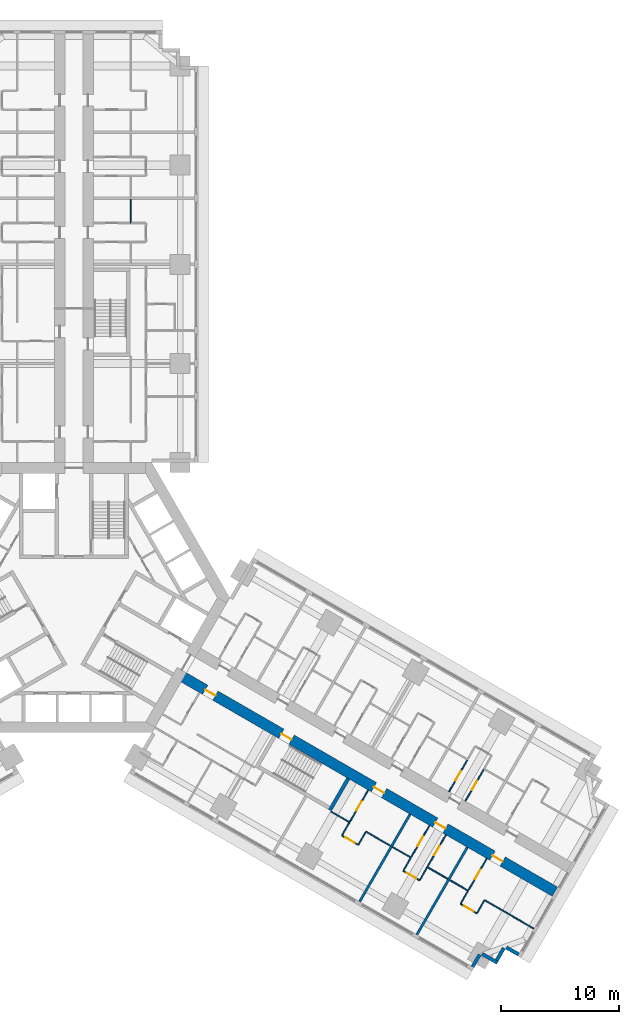
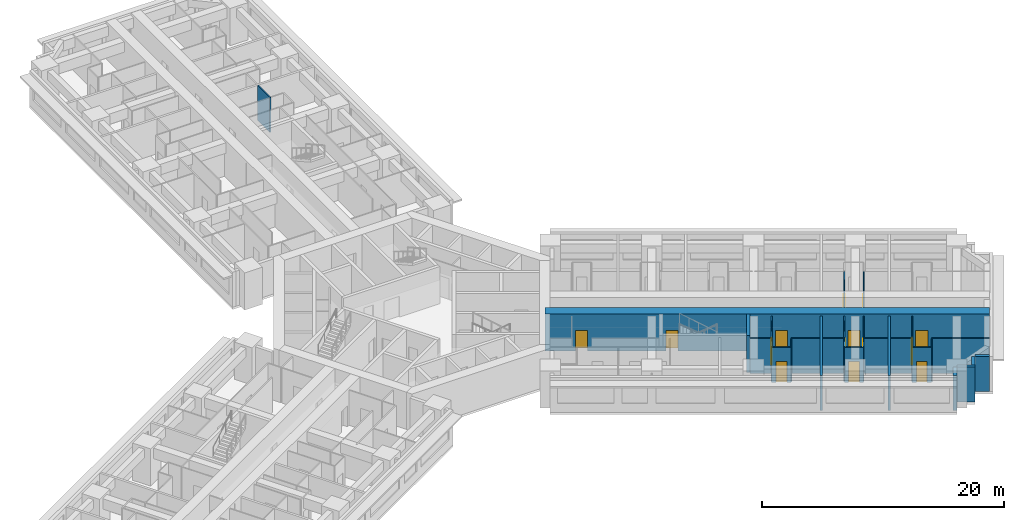
# One storey, part 11 of 16: 30 walls, 14 doors, 14 openings.
"""IFC4 building model written with IfcOpenShell, lengths in metres."""

from ifc_helpers import new_model, si_unit, direction, frame, frame_2d, origin, place, context, subcontext, project, spatial, rectangle, extrude, material, layer, layer_set, type_object, element, fill, save


model = new_model("IFC4")

# Units and contexts
model_context = context("Model", 3, precision=1e-05, world=origin(), true_north=direction((0.0, 1.0)))
body_context = subcontext(model_context, "Body", "Model", "MODEL_VIEW")
ifc_project = project(units=[si_unit("LENGTHUNIT", "METRE"), si_unit("AREAUNIT", "SQUARE_METRE"), si_unit("VOLUMEUNIT", "CUBIC_METRE"), si_unit("PLANEANGLEUNIT", "RADIAN"), si_unit("MASSUNIT", "GRAM", prefix="KILO")], contexts=[model_context])

# Site, building, storey
site_placement = place(None, origin())
site = spatial("IfcSite", under=ifc_project, at=site_placement, CompositionType="ELEMENT")
building_placement = place(site_placement, origin())
building = spatial("IfcBuilding", under=site, at=building_placement, Name="Impinga Residences", CompositionType="ELEMENT")
storey_placement = place(building_placement, frame((0.0, 0.0, 44.75)))
storey = spatial("IfcBuildingStorey", under=building, at=storey_placement, Name="L10", CompositionType="ELEMENT", Elevation=44.75)

# Wall, openings, doors
ifc_material_1 = material(Name="Concrete C70/85", Category="concrete")
ifc_layer_1 = layer(ifc_material_1, 0.89990234375)
ifc_layer_set_1 = layer_set([ifc_layer_1], Name="Concrete C70/85")
wall_type_1 = type_object("IfcWallType", Name="BW1 corridor buttress wall, L05 to L22 900", PredefinedType="SHEAR", material=ifc_layer_set_1)
wall_1_placement = place(storey_placement, frame((8.910400390625, -6.530029296875, 0.0), z_axis=(0.0, 0.0, 1.0), x_axis=(0.866025284237, -0.500000207062, 0.0)))
wall_1 = element("IfcWall", 1, at=wall_1_placement, inside=storey, type_object=wall_type_1, Name="Corridor wall BW1 ED L10", PredefinedType="SHEAR", context=body_context, shape_type="SweptSolid", body=[
    extrude(rectangle(XDim=36.75, YDim=0.89990234375, at=frame_2d((18.375, 0.0))), origin(), (0.0, 0.0, 1.0), 3.75),
])
opening_1_placement = place(wall_1_placement, frame((10.0, 0.0, 0.0)))
opening_1 = element("IfcOpeningElement", 2, at=opening_1_placement, cuts=wall_1, Name="Opening D5", PredefinedType="OPENING", context=body_context, shape_type="SweptSolid", body=[
    extrude(rectangle(XDim=1.0, YDim=2.10009765625, at=frame_2d((0.5, 1.050048828125))), frame((0.0, 0.4599609375, 0.0), z_axis=(0.0, -1.0, 0.0), x_axis=(1.0, 0.0, 0.0)), (0.0, 0.0, 1.0), 0.919921875),
])
opening_2_placement = place(wall_1_placement, frame((2.550048828125, 0.0, 0.0)))
opening_2 = element("IfcOpeningElement", 3, at=opening_2_placement, cuts=wall_1, Name="Opening D1", PredefinedType="OPENING", context=body_context, shape_type="SweptSolid", body=[
    extrude(rectangle(XDim=1.0, YDim=2.10009765625, at=frame_2d((0.5, 1.050048828125))), frame((0.0, 0.4599609375, 0.0), z_axis=(0.0, -1.0, 0.0), x_axis=(1.0, 0.0, 0.0)), (0.0, 0.0, 1.0), 0.919921875),
])
opening_3_placement = place(wall_1_placement, frame((19.050048828125, 0.0, 0.0)))
opening_3 = element("IfcOpeningElement", 4, at=opening_3_placement, cuts=wall_1, Name="Opening D1", PredefinedType="OPENING", context=body_context, shape_type="SweptSolid", body=[
    extrude(rectangle(XDim=1.0, YDim=2.10009765625, at=frame_2d((0.5, 1.050048828125))), frame((0.0, 0.4599609375, 0.0), z_axis=(0.0, -1.0, 0.0), x_axis=(1.0, 0.0, 0.0)), (0.0, 0.0, 1.0), 0.919921875),
])
opening_4_placement = place(wall_1_placement, frame((25.050048828125, 0.0, 0.0)))
opening_4 = element("IfcOpeningElement", 5, at=opening_4_placement, cuts=wall_1, Name="Opening D1", PredefinedType="OPENING", context=body_context, shape_type="SweptSolid", body=[
    extrude(rectangle(XDim=1.0, YDim=2.10009765625, at=frame_2d((0.5, 1.050048828125))), frame((0.0, 0.4599609375, 0.0), z_axis=(0.0, -1.0, 0.0), x_axis=(1.0, 0.0, 0.0)), (0.0, 0.0, 1.0), 0.919921875),
])
opening_5_placement = place(wall_1_placement, frame((30.64990234375, 0.0, 0.0)))
opening_5 = element("IfcOpeningElement", 6, at=opening_5_placement, cuts=wall_1, Name="Opening D1", PredefinedType="OPENING", context=body_context, shape_type="SweptSolid", body=[
    extrude(rectangle(XDim=1.0, YDim=2.10009765625, at=frame_2d((0.5, 1.050048828125))), frame((0.0, 0.4599609375, 0.0), z_axis=(0.0, -1.0, 0.0), x_axis=(1.0, 0.0, 0.0)), (0.0, 0.0, 1.0), 0.919921875),
])
ifc_material_2 = material(Name="Timber door set", Category="wood")
door_type_1 = type_object("IfcDoorType", Name="D1 apartment entrance door 1000x2100", OperationType="SINGLE_SWING_LEFT", PredefinedType="DOOR", material=ifc_material_2)
door_1_placement = place(opening_2_placement, origin())
door_1 = element("IfcDoor", 7, at=door_1_placement, inside=storey, type_object=door_type_1, Name="Apartment L10-EF1 entrance", OperationType="SINGLE_SWING_LEFT", OverallHeight=2.10009765625, OverallWidth=1.0, PredefinedType="DOOR", context=body_context, shape_type="SweptSolid", body=[
    extrude(rectangle(XDim=1.0, YDim=2.10009765625, at=frame_2d((0.5, 1.050048828125))), frame((0.0, 0.02490234375, 0.0), z_axis=(0.0, -1.0, 0.0), x_axis=(1.0, 0.0, 0.0)), (0.0, 0.0, 1.0), 0.050048828125),
])
fill(opening_2, door_1)
door_2_placement = place(opening_3_placement, origin())
door_2 = element("IfcDoor", 8, at=door_2_placement, inside=storey, type_object=door_type_1, Name="Apartment L10-EF2 entrance", OperationType="SINGLE_SWING_RIGHT", OverallHeight=2.10009765625, OverallWidth=1.0, PredefinedType="DOOR", context=body_context, shape_type="SweptSolid", body=[
    extrude(rectangle(XDim=1.0, YDim=2.10009765625, at=frame_2d((0.5, 1.050048828125))), frame((0.0, 0.02490234375, 0.0), z_axis=(0.0, -1.0, 0.0), x_axis=(1.0, 0.0, 0.0)), (0.0, 0.0, 1.0), 0.050048828125),
])
fill(opening_3, door_2)
door_3_placement = place(opening_4_placement, origin())
door_3 = element("IfcDoor", 9, at=door_3_placement, inside=storey, type_object=door_type_1, Name="Apartment L10-EF3 entrance", OperationType="SINGLE_SWING_RIGHT", OverallHeight=2.10009765625, OverallWidth=1.0, PredefinedType="DOOR", context=body_context, shape_type="SweptSolid", body=[
    extrude(rectangle(XDim=1.0, YDim=2.10009765625, at=frame_2d((0.5, 1.050048828125))), frame((0.0, 0.02490234375, 0.0), z_axis=(0.0, -1.0, 0.0), x_axis=(1.0, 0.0, 0.0)), (0.0, 0.0, 1.0), 0.050048828125),
])
fill(opening_4, door_3)
door_4_placement = place(opening_5_placement, origin())
door_4 = element("IfcDoor", 10, at=door_4_placement, inside=storey, type_object=door_type_1, Name="Apartment L10-EF4 entrance", OperationType="SINGLE_SWING_RIGHT", OverallHeight=2.10009765625, OverallWidth=1.0, PredefinedType="DOOR", context=body_context, shape_type="SweptSolid", body=[
    extrude(rectangle(XDim=1.0, YDim=2.10009765625, at=frame_2d((0.5, 1.050048828125))), frame((0.0, 0.02490234375, 0.0), z_axis=(0.0, -1.0, 0.0), x_axis=(1.0, 0.0, 0.0)), (0.0, 0.0, 1.0), 0.050048828125),
])
fill(opening_5, door_4)
door_type_2 = type_object("IfcDoorType", Name="D5 stair door 1000x2100", OperationType="SINGLE_SWING_LEFT", PredefinedType="DOOR", material=ifc_material_2)
door_5_placement = place(opening_1_placement, origin())
door_5 = element("IfcDoor", 11, at=door_5_placement, inside=storey, type_object=door_type_2, Name="Wing stair door E", OperationType="SINGLE_SWING_LEFT", OverallHeight=2.10009765625, OverallWidth=1.0, PredefinedType="DOOR", context=body_context, shape_type="SweptSolid", body=[
    extrude(rectangle(XDim=1.0, YDim=2.10009765625, at=frame_2d((0.5, 1.050048828125))), frame((0.0, 0.02490234375, 0.0), z_axis=(0.0, -1.0, 0.0), x_axis=(1.0, 0.0, 0.0)), (0.0, 0.0, 1.0), 0.050048828125),
])
fill(opening_1, door_5)

# Walls
ifc_material_3 = material(Name="Terracotta rainscreen on blockwork", Category="masonry")
ifc_layer_2 = layer(ifc_material_3, 0.300048828125)
ifc_layer_set_2 = layer_set([ifc_layer_2], Name="EW1 external wall, terracotta rainscreen on blockwork 300")
wall_type_2 = type_object("IfcWallType", Name="EW1 external wall, terracotta rainscreen on blockwork 300", PredefinedType="SOLIDWALL", material=ifc_layer_set_2)
wall_2_placement = place(storey_placement, frame((37.66162109375, -30.23095703125, 0.0), z_axis=(0.0, 0.0, 1.0), x_axis=(-0.866059708757, 0.499940577336, 0.0)))
element("IfcWall", 12, at=wall_2_placement, inside=storey, type_object=wall_type_2, Name="External wall EW1 L10", PredefinedType="SOLIDWALL", context=body_context, shape_type="SweptSolid", body=[
    extrude(rectangle(XDim=1.195068359375, YDim=0.300048828125, at=frame_2d((0.59765625, 0.0))), origin(), (0.0, 0.0, 1.0), 3.530029296875),
])
wall_3_placement = place(storey_placement, frame((36.41748046875, -29.68603515625, 0.0), z_axis=(0.0, 0.0, 1.0), x_axis=(-0.499969057507, -0.866043267704, 0.0)))
element("IfcWall", 13, at=wall_3_placement, inside=storey, type_object=wall_type_2, Name="External wall EW1 L10", PredefinedType="SOLIDWALL", context=body_context, shape_type="SweptSolid", body=[
    extrude(rectangle(XDim=1.19970703125, YDim=0.300048828125, at=frame_2d((0.599853515625, 0.0))), origin(), (0.0, 0.0, 1.0), 3.530029296875),
])
wall_4_placement = place(storey_placement, frame((35.87255859375, -30.93017578125, 0.0), z_axis=(0.0, 0.0, 1.0), x_axis=(-0.866031096941, 0.499990139034, 0.0)))
element("IfcWall", 14, at=wall_4_placement, inside=storey, type_object=wall_type_2, Name="External wall EW1 L10", PredefinedType="SOLIDWALL", context=body_context, shape_type="SweptSolid", body=[
    extrude(rectangle(XDim=1.5, YDim=0.300048828125, at=frame_2d((0.75, 0.0))), origin(), (0.0, 0.0, 1.0), 3.530029296875),
])
wall_5_placement = place(storey_placement, frame((34.365966796875, -30.2392578125, 0.0), z_axis=(0.0, 0.0, 1.0), x_axis=(-0.499940577336, -0.866059708757, 0.0)))
element("IfcWall", 15, at=wall_5_placement, inside=storey, type_object=wall_type_2, Name="External wall EW1 L10", PredefinedType="SOLIDWALL", context=body_context, shape_type="SweptSolid", body=[
    extrude(rectangle(XDim=1.195068359375, YDim=0.300048828125, at=frame_2d((0.59765625, 0.0))), origin(), (0.0, 0.0, 1.0), 3.530029296875),
])
ifc_material_4 = material(Name="Gypsum board on steel studs", Category="steel")
ifc_layer_3 = layer(ifc_material_4, 0.10009765625)
ifc_layer_set_3 = layer_set([ifc_layer_3], Name="Gypsum board on steel studs")
wall_type_3 = type_object("IfcWallType", Name="IP1 partition 100", PredefinedType="PARTITIONING", material=ifc_layer_set_3)
wall_6_placement = place(storey_placement, frame((4.800048828125, 31.7314453125, 0.0), z_axis=(0.0, 0.0, 1.0), x_axis=(0.0, 1.0, 0.0)))
element("IfcWall", 16, at=wall_6_placement, inside=storey, type_object=wall_type_3, Name="Partition L10-NF2:DIV1", PredefinedType="PARTITIONING", context=body_context, shape_type="SweptSolid", body=[
    extrude(rectangle(XDim=2.0, YDim=0.10009765625, at=frame_2d((1.0, 0.0))), origin(), (0.0, 0.0, 1.0), 3.530029296875),
])

# Wall, opening, door
wall_7_placement = place(storey_placement, frame((31.76953125, -16.436767578125, 0.0), z_axis=(0.0, 0.0, 1.0), x_axis=(0.499967891604, 0.866043940782, 0.0)))
wall_7 = element("IfcWall", 17, at=wall_7_placement, inside=storey, type_object=wall_type_3, Name="Partition L10-EA5:IB1", PredefinedType="PARTITIONING", context=body_context, shape_type="SweptSolid", body=[
    extrude(rectangle(XDim=3.099853515625, YDim=0.10009765625, at=frame_2d((1.5498046875, 0.0))), origin(), (0.0, 0.0, 1.0), 3.530029296875),
])
opening_6_placement = place(wall_7_placement, frame((1.10009765625, 0.0, 0.0)))
opening_6 = element("IfcOpeningElement", 18, at=opening_6_placement, cuts=wall_7, Name="Opening D2", PredefinedType="OPENING", context=body_context, shape_type="SweptSolid", body=[
    extrude(rectangle(XDim=0.89990234375, YDim=2.10009765625, at=frame_2d((0.449951171875, 1.050048828125))), frame((0.0, 0.06005859375, 0.0), z_axis=(0.0, -1.0, 0.0), x_axis=(1.0, 0.0, 0.0)), (0.0, 0.0, 1.0), 0.1201171875),
])
door_type_3 = type_object("IfcDoorType", Name="D2 internal door 900x2100", OperationType="SINGLE_SWING_LEFT", PredefinedType="DOOR", material=ifc_material_2)
door_6_placement = place(opening_6_placement, origin())
door_6 = element("IfcDoor", 19, at=door_6_placement, inside=storey, type_object=door_type_3, Name="Apartment L10-EA5 bathroom door", OperationType="SINGLE_SWING_LEFT", OverallHeight=2.10009765625, OverallWidth=0.89990234375, PredefinedType="DOOR", context=body_context, shape_type="SweptSolid", body=[
    extrude(rectangle(XDim=0.89990234375, YDim=2.10009765625, at=frame_2d((0.449951171875, 1.050048828125))), frame((0.0, 0.02490234375, 0.0), z_axis=(0.0, -1.0, 0.0), x_axis=(1.0, 0.0, 0.0)), (0.0, 0.0, 1.0), 0.050048828125),
])
fill(opening_6, door_6)

wall_8_placement = place(storey_placement, frame((33.155029296875, -17.23681640625, 0.0), z_axis=(0.0, 0.0, 1.0), x_axis=(0.500026960575, 0.86600983753, 0.0)))
wall_8 = element("IfcWall", 20, at=wall_8_placement, inside=storey, type_object=wall_type_3, Name="Partition L10-EA5:IB2", PredefinedType="PARTITIONING", context=body_context, shape_type="SweptSolid", body=[
    extrude(rectangle(XDim=3.099853515625, YDim=0.10009765625, at=frame_2d((1.5498046875, 0.0))), origin(), (0.0, 0.0, 1.0), 3.530029296875),
])
opening_7_placement = place(wall_8_placement, frame((1.10009765625, 0.0, 0.0)))
opening_7 = element("IfcOpeningElement", 21, at=opening_7_placement, cuts=wall_8, Name="Opening D2", PredefinedType="OPENING", context=body_context, shape_type="SweptSolid", body=[
    extrude(rectangle(XDim=0.89990234375, YDim=2.10009765625, at=frame_2d((0.449951171875, 1.050048828125))), frame((0.0, 0.06005859375, 0.0), z_axis=(0.0, -1.0, 0.0), x_axis=(1.0, 0.0, 0.0)), (0.0, 0.0, 1.0), 0.1201171875),
])
door_7_placement = place(opening_7_placement, origin())
door_7 = element("IfcDoor", 22, at=door_7_placement, inside=storey, type_object=door_type_3, Name="Apartment L10-EA5 WC door", OperationType="SINGLE_SWING_LEFT", OverallHeight=2.10009765625, OverallWidth=0.89990234375, PredefinedType="DOOR", context=body_context, shape_type="SweptSolid", body=[
    extrude(rectangle(XDim=0.89990234375, YDim=2.10009765625, at=frame_2d((0.449951171875, 1.050048828125))), frame((0.0, 0.02490234375, 0.0), z_axis=(0.0, -1.0, 0.0), x_axis=(1.0, 0.0, 0.0)), (0.0, 0.0, 1.0), 0.050048828125),
])
fill(opening_7, door_7)

# Walls
wall_9_placement = place(storey_placement, frame((21.789306640625, -18.122802734375, 0.0), z_axis=(0.0, 0.0, 1.0), x_axis=(0.866047807691, -0.499961193289, 0.0)))
element("IfcWall", 23, at=wall_9_placement, inside=storey, type_object=wall_type_3, Name="Partition L10-EF2:DIV0", PredefinedType="PARTITIONING", context=body_context, shape_type="SweptSolid", body=[
    extrude(rectangle(XDim=1.800048828125, YDim=0.10009765625, at=frame_2d((0.89990234375, 0.0))), origin(), (0.0, 0.0, 1.0), 3.530029296875),
])
wall_10_placement = place(storey_placement, frame((24.73388671875, -19.82275390625, 0.0), z_axis=(0.0, 0.0, 1.0), x_axis=(0.866024647952, -0.500001309137, 0.0)))
element("IfcWall", 24, at=wall_10_placement, inside=storey, type_object=wall_type_3, Name="Partition L10-EF2:DIV1", PredefinedType="PARTITIONING", context=body_context, shape_type="SweptSolid", body=[
    extrude(rectangle(XDim=2.39990234375, YDim=0.10009765625, at=frame_2d((1.199951171875, 0.0))), origin(), (0.0, 0.0, 1.0), 3.530029296875),
])

# Wall, opening, door
wall_11_placement = place(storey_placement, frame((22.6982421875, -20.1484375, 0.0), z_axis=(0.0, 0.0, 1.0), x_axis=(0.866028054938, -0.499995408039, 0.0)))
wall_11 = element("IfcWall", 25, at=wall_11_placement, inside=storey, type_object=wall_type_3, Name="Partition L10-EF2:STRIP", PredefinedType="PARTITIONING", context=body_context, shape_type="SweptSolid", body=[
    extrude(rectangle(XDim=1.60009765625, YDim=0.10009765625, at=frame_2d((0.800048828125, 0.0))), origin(), (0.0, 0.0, 1.0), 3.530029296875),
])
opening_8_placement = place(wall_11_placement, frame((0.35009765625, 0.0, 0.0)))
opening_8 = element("IfcOpeningElement", 26, at=opening_8_placement, cuts=wall_11, Name="Opening D2", PredefinedType="OPENING", context=body_context, shape_type="SweptSolid", body=[
    extrude(rectangle(XDim=0.89990234375, YDim=2.10009765625, at=frame_2d((0.449951171875, 1.050048828125))), frame((0.0, 0.06005859375, 0.0), z_axis=(0.0, -1.0, 0.0), x_axis=(1.0, 0.0, 0.0)), (0.0, 0.0, 1.0), 0.1201171875),
])
door_8_placement = place(opening_8_placement, origin())
door_8 = element("IfcDoor", 27, at=door_8_placement, inside=storey, type_object=door_type_3, Name="Apartment L10-EF2 room door", OperationType="SINGLE_SWING_LEFT", OverallHeight=2.10009765625, OverallWidth=0.89990234375, PredefinedType="DOOR", context=body_context, shape_type="SweptSolid", body=[
    extrude(rectangle(XDim=0.89990234375, YDim=2.10009765625, at=frame_2d((0.449951171875, 1.050048828125))), frame((0.0, 0.02490234375, 0.0), z_axis=(0.0, -1.0, 0.0), x_axis=(1.0, 0.0, 0.0)), (0.0, 0.0, 1.0), 0.050048828125),
])
fill(opening_8, door_8)

# Walls
for number, where, z_axis, x_axis, name in (
    (28, (23.3232421875, -19.06591796875, 0.0), (0.0, 0.0, 1.0), (-0.500033551112, -0.866006032174, 0.0), "Partition L10-EF2:SE0"),
    (29, (24.708984375, -19.865966796875, 0.0), (0.0, 0.0, 1.0), (-0.500033551112, -0.866006032174, 0.0), "Partition L10-EF2:SE1"),
):
    element("IfcWall", number, at=place(storey_placement, frame(where, z_axis=z_axis, x_axis=x_axis)), inside=storey, type_object=wall_type_3, Name=name, PredefinedType="PARTITIONING", context=body_context, shape_type="SweptSolid", body=[
        extrude(rectangle(XDim=1.2001953125, YDim=0.10009765625, at=frame_2d((0.60009765625, 0.0))), origin(), (0.0, 0.0, 1.0), 3.530029296875),
    ])

# Wall, opening, door
wall_12_placement = place(storey_placement, frame((24.92333984375, -16.294677734375, 0.0), z_axis=(0.0, 0.0, 1.0), x_axis=(-0.49999285859, -0.86602952684, 0.0)))
wall_12 = element("IfcWall", 30, at=wall_12_placement, inside=storey, type_object=wall_type_3, Name="Partition L10-EF2:IB1", PredefinedType="PARTITIONING", context=body_context, shape_type="SweptSolid", body=[
    extrude(rectangle(XDim=3.10009765625, YDim=0.10009765625, at=frame_2d((1.550048828125, 0.0))), origin(), (0.0, 0.0, 1.0), 3.530029296875),
])
opening_9_placement = place(wall_12_placement, frame((1.10009765625, 0.0, 0.0)))
opening_9 = element("IfcOpeningElement", 31, at=opening_9_placement, cuts=wall_12, Name="Opening D2", PredefinedType="OPENING", context=body_context, shape_type="SweptSolid", body=[
    extrude(rectangle(XDim=0.89990234375, YDim=2.10009765625, at=frame_2d((0.449951171875, 1.050048828125))), frame((0.0, 0.06005859375, 0.0), z_axis=(0.0, -1.0, 0.0), x_axis=(1.0, 0.0, 0.0)), (0.0, 0.0, 1.0), 0.1201171875),
])
door_9_placement = place(opening_9_placement, origin())
door_9 = element("IfcDoor", 32, at=door_9_placement, inside=storey, type_object=door_type_3, Name="Apartment L10-EF2 bathroom door", OperationType="SINGLE_SWING_LEFT", OverallHeight=2.10009765625, OverallWidth=0.89990234375, PredefinedType="DOOR", context=body_context, shape_type="SweptSolid", body=[
    extrude(rectangle(XDim=0.89990234375, YDim=2.10009765625, at=frame_2d((0.449951171875, 1.050048828125))), frame((0.0, 0.02490234375, 0.0), z_axis=(0.0, -1.0, 0.0), x_axis=(1.0, 0.0, 0.0)), (0.0, 0.0, 1.0), 0.050048828125),
])
fill(opening_9, door_9)

# Walls
wall_13_placement = place(storey_placement, frame((26.985595703125, -21.122802734375, 0.0), z_axis=(0.0, 0.0, 1.0), x_axis=(0.866047807691, -0.499961193289, 0.0)))
element("IfcWall", 33, at=wall_13_placement, inside=storey, type_object=wall_type_3, Name="Partition L10-EF3:DIV0", PredefinedType="PARTITIONING", context=body_context, shape_type="SweptSolid", body=[
    extrude(rectangle(XDim=1.800048828125, YDim=0.10009765625, at=frame_2d((0.89990234375, 0.0))), origin(), (0.0, 0.0, 1.0), 3.530029296875),
])
wall_14_placement = place(storey_placement, frame((29.93017578125, -22.82275390625, 0.0), z_axis=(0.0, 0.0, 1.0), x_axis=(0.866010750942, -0.50002537861, 0.0)))
element("IfcWall", 34, at=wall_14_placement, inside=storey, type_object=wall_type_3, Name="Partition L10-EF3:DIV1", PredefinedType="PARTITIONING", context=body_context, shape_type="SweptSolid", body=[
    extrude(rectangle(XDim=2.0, YDim=0.10009765625, at=frame_2d((1.0, 0.0))), origin(), (0.0, 0.0, 1.0), 3.530029296875),
])

# Wall, opening, door
wall_15_placement = place(storey_placement, frame((27.89453125, -23.1484375, 0.0), z_axis=(0.0, 0.0, 1.0), x_axis=(0.865989903783, -0.500061482766, 0.0)))
wall_15 = element("IfcWall", 35, at=wall_15_placement, inside=storey, type_object=wall_type_3, Name="Partition L10-EF3:STRIP", PredefinedType="PARTITIONING", context=body_context, shape_type="SweptSolid", body=[
    extrude(rectangle(XDim=1.599853515625, YDim=0.10009765625, at=frame_2d((0.7998046875, 0.0))), origin(), (0.0, 0.0, 1.0), 3.530029296875),
])
opening_10_placement = place(wall_15_placement, frame((0.35009765625, 0.0, 0.0)))
opening_10 = element("IfcOpeningElement", 36, at=opening_10_placement, cuts=wall_15, Name="Opening D2", PredefinedType="OPENING", context=body_context, shape_type="SweptSolid", body=[
    extrude(rectangle(XDim=0.89990234375, YDim=2.10009765625, at=frame_2d((0.449951171875, 1.050048828125))), frame((0.0, 0.06005859375, 0.0), z_axis=(0.0, -1.0, 0.0), x_axis=(1.0, 0.0, 0.0)), (0.0, 0.0, 1.0), 0.1201171875),
])
door_10_placement = place(opening_10_placement, origin())
door_10 = element("IfcDoor", 37, at=door_10_placement, inside=storey, type_object=door_type_3, Name="Apartment L10-EF3 room door", OperationType="SINGLE_SWING_LEFT", OverallHeight=2.10009765625, OverallWidth=0.89990234375, PredefinedType="DOOR", context=body_context, shape_type="SweptSolid", body=[
    extrude(rectangle(XDim=0.89990234375, YDim=2.10009765625, at=frame_2d((0.449951171875, 1.050048828125))), frame((0.0, 0.02490234375, 0.0), z_axis=(0.0, -1.0, 0.0), x_axis=(1.0, 0.0, 0.0)), (0.0, 0.0, 1.0), 0.050048828125),
])
fill(opening_10, door_10)

# Walls
wall_16_placement = place(storey_placement, frame((28.51953125, -22.06591796875, 0.0), z_axis=(0.0, 0.0, 1.0), x_axis=(-0.500033551112, -0.866006032174, 0.0)))
element("IfcWall", 38, at=wall_16_placement, inside=storey, type_object=wall_type_3, Name="Partition L10-EF3:SE0", PredefinedType="PARTITIONING", context=body_context, shape_type="SweptSolid", body=[
    extrude(rectangle(XDim=1.2001953125, YDim=0.10009765625, at=frame_2d((0.60009765625, 0.0))), origin(), (0.0, 0.0, 1.0), 3.530029296875),
])
wall_17_placement = place(storey_placement, frame((29.905029296875, -22.865966796875, 0.0), z_axis=(0.0, 0.0, 1.0), x_axis=(-0.499880961361, -0.866094119867, 0.0)))
element("IfcWall", 39, at=wall_17_placement, inside=storey, type_object=wall_type_3, Name="Partition L10-EF3:SE1", PredefinedType="PARTITIONING", context=body_context, shape_type="SweptSolid", body=[
    extrude(rectangle(XDim=1.199951171875, YDim=0.10009765625, at=frame_2d((0.60009765625, 0.0))), origin(), (0.0, 0.0, 1.0), 3.530029296875),
])

# Wall, opening, door
wall_18_placement = place(storey_placement, frame((30.119384765625, -19.294677734375, 0.0), z_axis=(0.0, 0.0, 1.0), x_axis=(-0.49999285859, -0.86602952684, 0.0)))
wall_18 = element("IfcWall", 40, at=wall_18_placement, inside=storey, type_object=wall_type_3, Name="Partition L10-EF3:IB1", PredefinedType="PARTITIONING", context=body_context, shape_type="SweptSolid", body=[
    extrude(rectangle(XDim=3.10009765625, YDim=0.10009765625, at=frame_2d((1.550048828125, 0.0))), origin(), (0.0, 0.0, 1.0), 3.530029296875),
])
opening_11_placement = place(wall_18_placement, frame((1.10009765625, 0.0, 0.0)))
opening_11 = element("IfcOpeningElement", 41, at=opening_11_placement, cuts=wall_18, Name="Opening D2", PredefinedType="OPENING", context=body_context, shape_type="SweptSolid", body=[
    extrude(rectangle(XDim=0.89990234375, YDim=2.10009765625, at=frame_2d((0.449951171875, 1.050048828125))), frame((0.0, 0.06005859375, 0.0), z_axis=(0.0, -1.0, 0.0), x_axis=(1.0, 0.0, 0.0)), (0.0, 0.0, 1.0), 0.1201171875),
])
door_11_placement = place(opening_11_placement, origin())
door_11 = element("IfcDoor", 42, at=door_11_placement, inside=storey, type_object=door_type_3, Name="Apartment L10-EF3 bathroom door", OperationType="SINGLE_SWING_LEFT", OverallHeight=2.10009765625, OverallWidth=0.89990234375, PredefinedType="DOOR", context=body_context, shape_type="SweptSolid", body=[
    extrude(rectangle(XDim=0.89990234375, YDim=2.10009765625, at=frame_2d((0.449951171875, 1.050048828125))), frame((0.0, 0.02490234375, 0.0), z_axis=(0.0, -1.0, 0.0), x_axis=(1.0, 0.0, 0.0)), (0.0, 0.0, 1.0), 0.050048828125),
])
fill(opening_11, door_11)

wall_19_placement = place(storey_placement, frame((31.505126953125, -20.0947265625, 0.0), z_axis=(0.0, 0.0, 1.0), x_axis=(-0.500026960575, -0.86600983753, 0.0)))
wall_19 = element("IfcWall", 43, at=wall_19_placement, inside=storey, type_object=wall_type_3, Name="Partition L10-EF3:IB2", PredefinedType="PARTITIONING", context=body_context, shape_type="SweptSolid", body=[
    extrude(rectangle(XDim=3.099853515625, YDim=0.10009765625, at=frame_2d((1.5498046875, 0.0))), origin(), (0.0, 0.0, 1.0), 3.530029296875),
])
opening_12_placement = place(wall_19_placement, frame((1.10009765625, 0.0, 0.0)))
opening_12 = element("IfcOpeningElement", 44, at=opening_12_placement, cuts=wall_19, Name="Opening D2", PredefinedType="OPENING", context=body_context, shape_type="SweptSolid", body=[
    extrude(rectangle(XDim=0.89990234375, YDim=2.10009765625, at=frame_2d((0.449951171875, 1.050048828125))), frame((0.0, 0.06005859375, 0.0), z_axis=(0.0, -1.0, 0.0), x_axis=(1.0, 0.0, 0.0)), (0.0, 0.0, 1.0), 0.1201171875),
])
door_12_placement = place(opening_12_placement, origin())
door_12 = element("IfcDoor", 45, at=door_12_placement, inside=storey, type_object=door_type_3, Name="Apartment L10-EF3 WC door", OperationType="SINGLE_SWING_LEFT", OverallHeight=2.10009765625, OverallWidth=0.89990234375, PredefinedType="DOOR", context=body_context, shape_type="SweptSolid", body=[
    extrude(rectangle(XDim=0.89990234375, YDim=2.10009765625, at=frame_2d((0.449951171875, 1.050048828125))), frame((0.0, 0.02490234375, 0.0), z_axis=(0.0, -1.0, 0.0), x_axis=(1.0, 0.0, 0.0)), (0.0, 0.0, 1.0), 0.050048828125),
])
fill(opening_12, door_12)

# Walls
wall_20_placement = place(storey_placement, frame((31.835205078125, -23.922607421875, 0.0), z_axis=(0.0, 0.0, 1.0), x_axis=(0.865989075817, -0.500062916607, 0.0)))
element("IfcWall", 46, at=wall_20_placement, inside=storey, type_object=wall_type_3, Name="Partition L10-EF4:DIV0", PredefinedType="PARTITIONING", context=body_context, shape_type="SweptSolid", body=[
    extrude(rectangle(XDim=1.800048828125, YDim=0.10009765625, at=frame_2d((0.89990234375, 0.0))), origin(), (0.0, 0.0, 1.0), 3.530029296875),
])
wall_21_placement = place(storey_placement, frame((34.77978515625, -25.622802734375, 0.0), z_axis=(0.0, 0.0, 1.0), x_axis=(0.866037363387, -0.499979284789, 0.0)))
element("IfcWall", 47, at=wall_21_placement, inside=storey, type_object=wall_type_3, Name="Partition L10-EF4:DIV1", PredefinedType="PARTITIONING", context=body_context, shape_type="SweptSolid", body=[
    extrude(rectangle(XDim=4.800048828125, YDim=0.10009765625, at=frame_2d((2.39990234375, 0.0))), origin(), (0.0, 0.0, 1.0), 3.530029296875),
])

# Wall, opening, door
wall_22_placement = place(storey_placement, frame((32.744140625, -25.948486328125, 0.0), z_axis=(0.0, 0.0, 1.0), x_axis=(0.866028054938, -0.499995408039, 0.0)))
wall_22 = element("IfcWall", 48, at=wall_22_placement, inside=storey, type_object=wall_type_3, Name="Partition L10-EF4:STRIP", PredefinedType="PARTITIONING", context=body_context, shape_type="SweptSolid", body=[
    extrude(rectangle(XDim=1.60009765625, YDim=0.10009765625, at=frame_2d((0.800048828125, 0.0))), origin(), (0.0, 0.0, 1.0), 3.530029296875),
])
opening_13_placement = place(wall_22_placement, frame((0.35009765625, 0.0, 0.0)))
opening_13 = element("IfcOpeningElement", 49, at=opening_13_placement, cuts=wall_22, Name="Opening D2", PredefinedType="OPENING", context=body_context, shape_type="SweptSolid", body=[
    extrude(rectangle(XDim=0.89990234375, YDim=2.10009765625, at=frame_2d((0.449951171875, 1.050048828125))), frame((0.0, 0.06005859375, 0.0), z_axis=(0.0, -1.0, 0.0), x_axis=(1.0, 0.0, 0.0)), (0.0, 0.0, 1.0), 0.1201171875),
])
door_13_placement = place(opening_13_placement, origin())
door_13 = element("IfcDoor", 50, at=door_13_placement, inside=storey, type_object=door_type_3, Name="Apartment L10-EF4 room door", OperationType="SINGLE_SWING_LEFT", OverallHeight=2.10009765625, OverallWidth=0.89990234375, PredefinedType="DOOR", context=body_context, shape_type="SweptSolid", body=[
    extrude(rectangle(XDim=0.89990234375, YDim=2.10009765625, at=frame_2d((0.449951171875, 1.050048828125))), frame((0.0, 0.02490234375, 0.0), z_axis=(0.0, -1.0, 0.0), x_axis=(1.0, 0.0, 0.0)), (0.0, 0.0, 1.0), 0.050048828125),
])
fill(opening_13, door_13)

# Walls
for number, where, z_axis, x_axis, name in (
    (51, (33.369140625, -24.865966796875, 0.0), (0.0, 0.0, 1.0), (-0.500033551112, -0.866006032174, 0.0), "Partition L10-EF4:SE0"),
    (52, (34.7548828125, -25.666015625, 0.0), (0.0, 0.0, 1.0), (-0.500033551112, -0.866006032174, 0.0), "Partition L10-EF4:SE1"),
):
    element("IfcWall", number, at=place(storey_placement, frame(where, z_axis=z_axis, x_axis=x_axis)), inside=storey, type_object=wall_type_3, Name=name, PredefinedType="PARTITIONING", context=body_context, shape_type="SweptSolid", body=[
        extrude(rectangle(XDim=1.2001953125, YDim=0.10009765625, at=frame_2d((0.60009765625, 0.0))), origin(), (0.0, 0.0, 1.0), 3.530029296875),
    ])

# Wall, opening, door
wall_23_placement = place(storey_placement, frame((34.96923828125, -22.0947265625, 0.0), z_axis=(0.0, 0.0, 1.0), x_axis=(-0.500026960575, -0.86600983753, 0.0)))
wall_23 = element("IfcWall", 53, at=wall_23_placement, inside=storey, type_object=wall_type_3, Name="Partition L10-EF4:IB1", PredefinedType="PARTITIONING", context=body_context, shape_type="SweptSolid", body=[
    extrude(rectangle(XDim=3.099853515625, YDim=0.10009765625, at=frame_2d((1.5498046875, 0.0))), origin(), (0.0, 0.0, 1.0), 3.530029296875),
])
opening_14_placement = place(wall_23_placement, frame((1.10009765625, 0.0, 0.0)))
opening_14 = element("IfcOpeningElement", 54, at=opening_14_placement, cuts=wall_23, Name="Opening D2", PredefinedType="OPENING", context=body_context, shape_type="SweptSolid", body=[
    extrude(rectangle(XDim=0.89990234375, YDim=2.10009765625, at=frame_2d((0.449951171875, 1.050048828125))), frame((0.0, 0.06005859375, 0.0), z_axis=(0.0, -1.0, 0.0), x_axis=(1.0, 0.0, 0.0)), (0.0, 0.0, 1.0), 0.1201171875),
])
door_14_placement = place(opening_14_placement, origin())
door_14 = element("IfcDoor", 55, at=door_14_placement, inside=storey, type_object=door_type_3, Name="Apartment L10-EF4 bathroom door", OperationType="SINGLE_SWING_LEFT", OverallHeight=2.10009765625, OverallWidth=0.89990234375, PredefinedType="DOOR", context=body_context, shape_type="SweptSolid", body=[
    extrude(rectangle(XDim=0.89990234375, YDim=2.10009765625, at=frame_2d((0.449951171875, 1.050048828125))), frame((0.0, 0.02490234375, 0.0), z_axis=(0.0, -1.0, 0.0), x_axis=(1.0, 0.0, 0.0)), (0.0, 0.0, 1.0), 0.050048828125),
])
fill(opening_14, door_14)

# Walls
ifc_material_5 = material(Name="Concrete blockwork", Category="masonry")
ifc_layer_4 = layer(ifc_material_5, 0.199951171875)
ifc_layer_set_4 = layer_set([ifc_layer_4], Name="PW1 party wall between apartments 200")
wall_type_4 = type_object("IfcWallType", Name="PW1 party wall between apartments 200", PredefinedType="SOLIDWALL", material=ifc_layer_set_4)
for number, where, z_axis, x_axis, name in (
    (56, (28.473876953125, -18.3447265625, 0.0), (0.0, 0.0, 1.0), (-0.499990227581, -0.86603104582, 0.0), "Party wall between apartments L10-EF2:PARTY"),
    (57, (33.32373046875, -21.144775390625, 0.0), (0.0, 0.0, 1.0), (-0.499990227581, -0.86603104582, 0.0), "Party wall between apartments L10-EF3:PARTY"),
):
    element("IfcWall", number, at=place(storey_placement, frame(where, z_axis=z_axis, x_axis=x_axis)), inside=storey, type_object=wall_type_4, Name=name, PredefinedType="SOLIDWALL", context=body_context, shape_type="SweptSolid", body=[
        extrude(rectangle(XDim=8.550048828125, YDim=0.199951171875, at=frame_2d((4.27490234375, 0.0))), origin(), (0.0, 0.0, 1.0), 3.530029296875),
    ])
ifc_material_6 = material(Name="Concrete C60/75", Category="concrete")
ifc_layer_5 = layer(ifc_material_6, 0.300048828125)
ifc_layer_set_5 = layer_set([ifc_layer_5], Name="Concrete C60/75")
wall_type_5 = type_object("IfcWallType", Name="SE1 wing stair enclosure wall 300", PredefinedType="SOLIDWALL", material=ifc_layer_set_5)
wall_24_placement = place(storey_placement, frame((23.234619140625, -15.31982421875, 0.0), z_axis=(0.0, 0.0, 1.0), x_axis=(-0.500026960575, -0.86600983753, 0.0)))
element("IfcWall", 58, at=wall_24_placement, inside=storey, type_object=wall_type_5, Name="Stair enclosure wall SE1 E END1 L10", PredefinedType="SOLIDWALL", context=body_context, shape_type="SweptSolid", body=[
    extrude(rectangle(XDim=3.099853515625, YDim=0.300048828125, at=frame_2d((1.5498046875, 0.0))), origin(), (0.0, 0.0, 1.0), 3.75),
])

save(model, "model.ifc")
